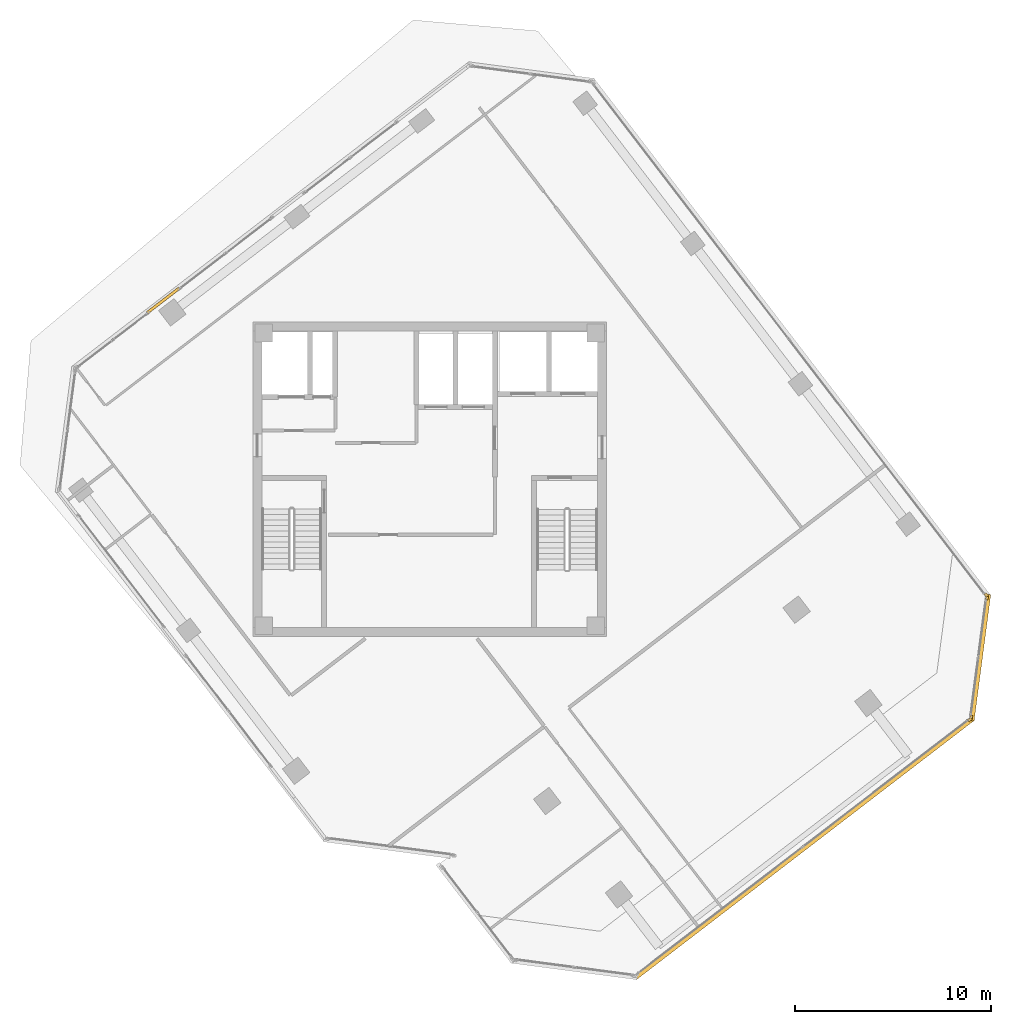
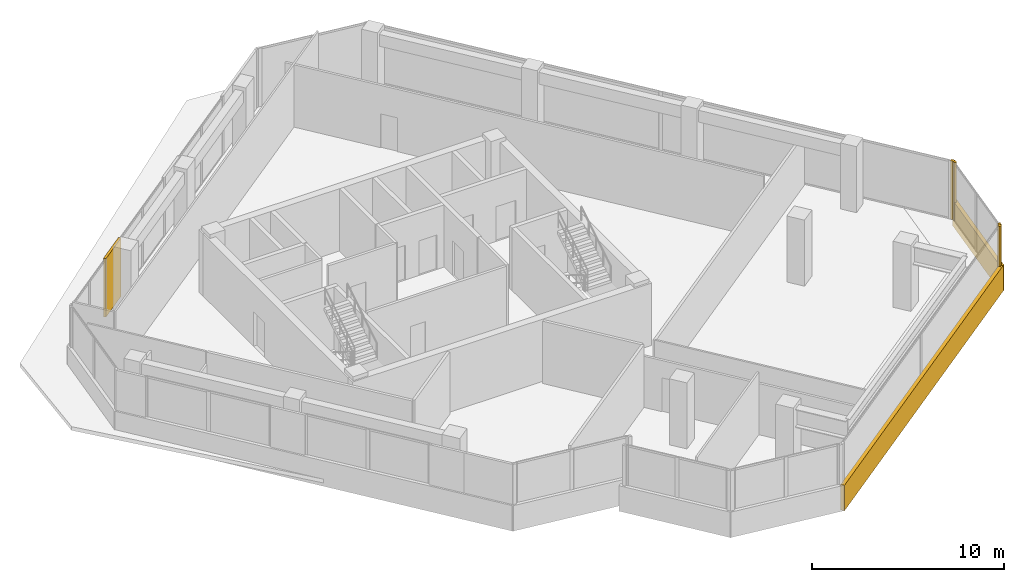
# One storey, part 16 of 17: 7 coverings.
"""IFC4 building model written with IfcOpenShell, lengths in metres."""

from ifc_helpers import new_model, si_unit, direction, frame, origin, origin_2d, place, context, subcontext, project, spatial, rectangle, extrude, source, transform, mapped, material, layer, layer_set, type_object, element, save


model = new_model("IFC4")

# Units and contexts
model_context = context("Model", 3, precision=1e-05, world=origin(), true_north=direction((0.0, 1.0)))
body_context = subcontext(model_context, "Body", "Model", "MODEL_VIEW")
ifc_project = project(units=[si_unit("LENGTHUNIT", "METRE"), si_unit("AREAUNIT", "SQUARE_METRE"), si_unit("VOLUMEUNIT", "CUBIC_METRE"), si_unit("PLANEANGLEUNIT", "RADIAN"), si_unit("MASSUNIT", "GRAM", prefix="KILO")], contexts=[model_context])

# Site, building, storey
site_placement = place(None, origin())
site = spatial("IfcSite", under=ifc_project, at=site_placement, CompositionType="ELEMENT")
building_placement = place(site_placement, origin())
building = spatial("IfcBuilding", under=site, at=building_placement, Name="Torre Montelarca", CompositionType="ELEMENT")
storey_placement = place(building_placement, frame((0.0, 0.0, 279.39990234375)))
storey = spatial("IfcBuildingStorey", under=building, at=storey_placement, Name="L63", CompositionType="ELEMENT", Elevation=279.39990234375)

# Coverings
ifc_material = material(Name="Bush-hammered warm white precast concrete C45/55", Category="concrete")
ifc_layer = layer(ifc_material, 0.139892578125, Name="Bush-hammered warm white precast concrete C45/55", Category="concrete")
ifc_layer_set = layer_set([ifc_layer], Name="Bush-hammered warm white precast concrete C45/55")
covering_type = type_object("IfcCoveringType", Name="COV-TRAY-CLAD", PredefinedType="CLADDING", material=ifc_layer_set)
shared_shape_1 = source(origin(), body_context, "Body", "SweptSolid", [
    extrude(rectangle(XDim=6.48388671875, YDim=0.219970703125, at=origin_2d()), origin(), (0.0, 0.0, 1.0), 1.6201171875),
])
covering_1_placement = place(storey_placement, frame((46.021484375, 22.92333984375, -0.449951171875), z_axis=(0.0, 0.0, 1.0), x_axis=(0.130531383411, 0.991444177927, 0.0)))
element("IfcCovering", 1, at=covering_1_placement, inside=storey, type_object=covering_type, Name="L63 Architectural White Spandrel Tray Band TRYBOT-07", PredefinedType="CLADDING", context=body_context, shape_type="MappedRepresentation", body=[
    mapped(shared_shape_1, transform((0.0, 0.0, 0.0), scale=1.0)),
])
shared_shape_2 = source(origin(), body_context, "Body", "SweptSolid", [
    extrude(rectangle(XDim=0.199951171875, YDim=0.139892578125, at=origin_2d()), origin(), (0.0, 0.0, 1.0), 3.719970703125),
])
for number, where, z_axis, x_axis, name in (
    (2, (45.4892578125, 19.765625, 0.0), (0.0, 0.0, 1.0), (0.793350152813, 0.608765582989, 0.0), "L63 Architectural Column Pier Cladding E06-2"),
    (3, (45.56201171875, 19.891357421875, 0.0), (0.0, 0.0, 1.0), (0.130531383411, 0.991444177927, 0.0), "L63 Architectural Column Pier Cladding E07-1"),
    (4, (46.3623046875, 25.97119140625, 0.0), (0.0, 0.0, 1.0), (0.130531383411, 0.991444177927, 0.0), "L63 Architectural Column Pier Cladding E07-2"),
    (5, (46.32470703125, 26.111328125, 0.0), (0.0, 0.0, 1.0), (-0.608762813671, 0.793352277801, 0.0), "L63 Architectural Column Pier Cladding E08-1"),
):
    element("IfcCovering", number, at=place(storey_placement, frame(where, z_axis=z_axis, x_axis=x_axis)), inside=storey, type_object=covering_type, Name=name, PredefinedType="CLADDING", context=body_context, shape_type="MappedRepresentation", body=[
        mapped(shared_shape_2, transform((0.0, 0.0, 0.0), scale=1.0)),
    ])
shared_shape_3 = source(origin(), body_context, "Body", "SweptSolid", [
    extrude(rectangle(XDim=2.06005859375, YDim=0.139892578125, at=origin_2d()), origin(), (0.0, 0.0, 1.0), 3.719970703125),
])
covering_2_placement = place(storey_placement, frame((4.432861328125, 41.100830078125, 0.0), z_axis=(0.0, 0.0, 1.0), x_axis=(-0.793351215308, -0.608764198331, 0.0)))
element("IfcCovering", 6, at=covering_2_placement, inside=storey, type_object=covering_type, Name="L63 Architectural Column Pier Cladding E10-4", PredefinedType="CLADDING", context=body_context, shape_type="MappedRepresentation", body=[
    mapped(shared_shape_3, transform((0.0, 0.0, 0.0), scale=1.0)),
])
shared_shape_4 = source(origin(), body_context, "Body", "SweptSolid", [
    extrude(rectangle(XDim=21.719970703125, YDim=0.219970703125, at=origin_2d()), origin(), (0.0, 0.0, 1.0), 1.6201171875),
])
covering_3_placement = place(storey_placement, frame((37.049560546875, 13.2138671875, -0.449951171875), z_axis=(0.0, 0.0, 1.0), x_axis=(0.793351215308, 0.608764198331, 0.0)))
element("IfcCovering", 7, at=covering_3_placement, inside=storey, type_object=covering_type, Name="L63 Architectural White Spandrel Tray Band TRYBOT-06", PredefinedType="CLADDING", context=body_context, shape_type="MappedRepresentation", body=[
    mapped(shared_shape_4, transform((0.0, 0.0, 0.0), scale=1.0)),
])

save(model, "model.ifc")
